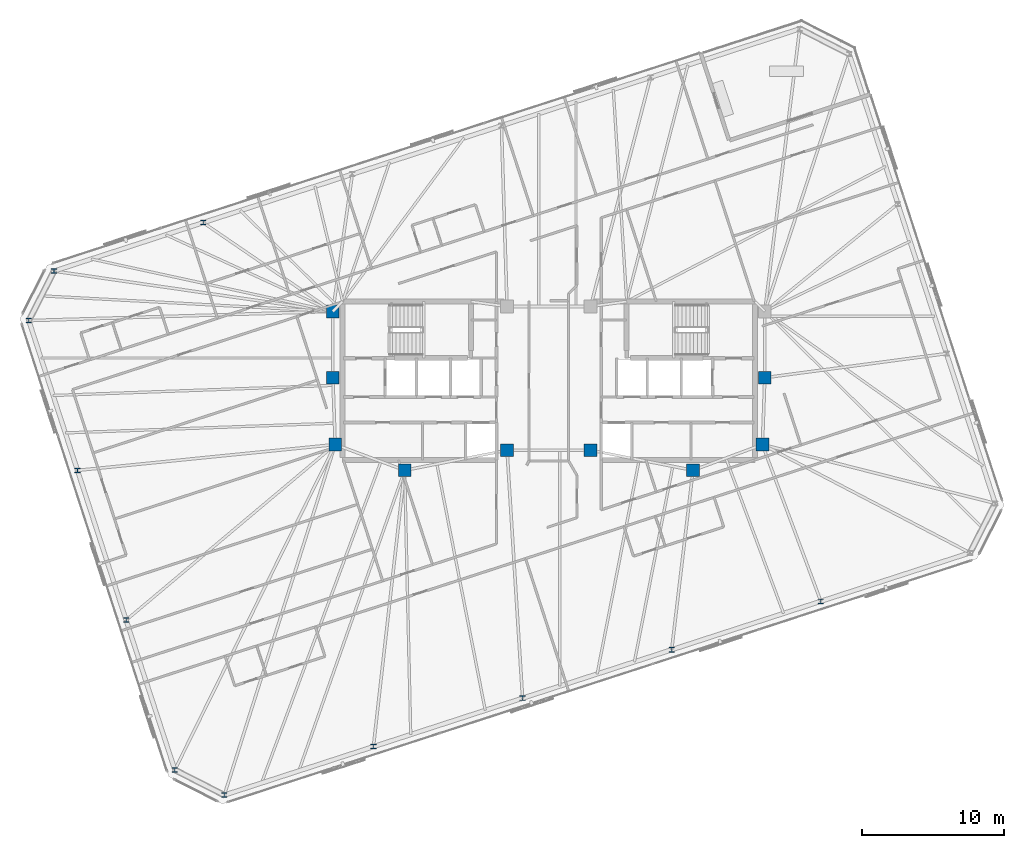
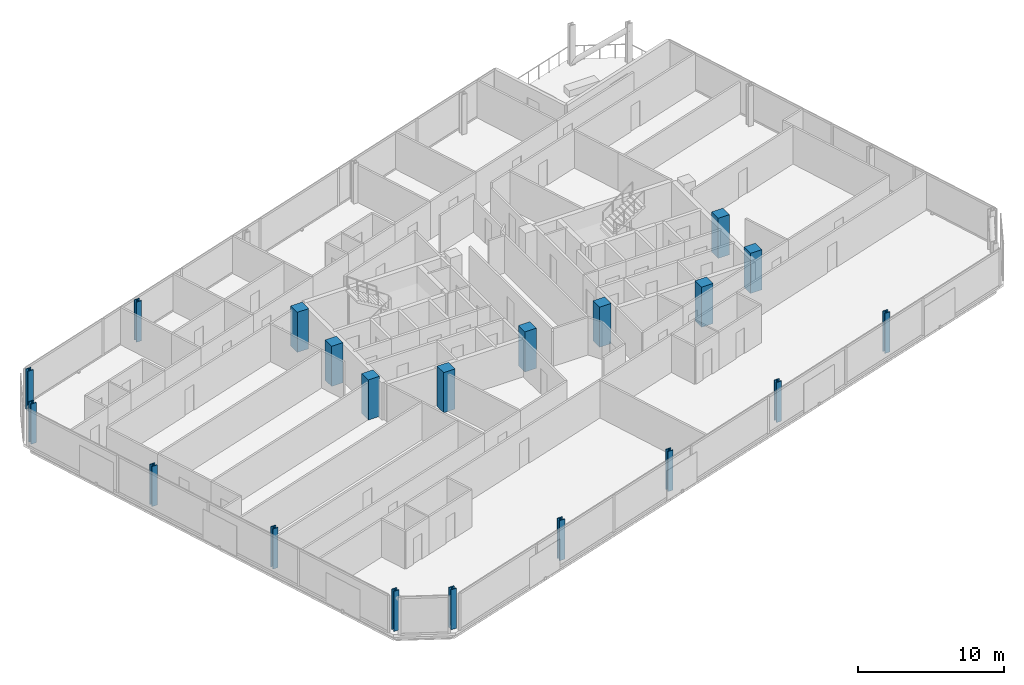
# One storey, part 1 of 19: 20 columns.
"""IFC4 building model written with IfcOpenShell, lengths in metres."""

from ifc_helpers import new_model, si_unit, direction, frame, origin, origin_2d, place, context, subcontext, project, spatial, rectangle, i_section, extrude, material, material_profile, profile_set, type_object, element, save


model = new_model("IFC4")

# Units and contexts
model_context = context("Model", 3, precision=1e-05, world=origin(), true_north=direction((0.0, 1.0)))
body_context = subcontext(model_context, "Body", "Model", "MODEL_VIEW")
ifc_project = project(units=[si_unit("LENGTHUNIT", "METRE"), si_unit("AREAUNIT", "SQUARE_METRE"), si_unit("VOLUMEUNIT", "CUBIC_METRE"), si_unit("PLANEANGLEUNIT", "RADIAN"), si_unit("MASSUNIT", "GRAM", prefix="KILO")], contexts=[model_context])

# Site, building, storey
site_placement = place(None, origin())
site = spatial("IfcSite", under=ifc_project, at=site_placement, CompositionType="ELEMENT")
building_placement = place(site_placement, origin())
building = spatial("IfcBuilding", under=site, at=building_placement, Name="Menara Jurai Vektor", CompositionType="ELEMENT")
storey_placement = place(building_placement, frame((0.0, 0.0, 231.0)))
storey = spatial("IfcBuildingStorey", under=building, at=storey_placement, Name="L61", CompositionType="ELEMENT", Elevation=231.0)

# Columns
ifc_material_1 = material(Name="Concrete C50/60", Category="concrete")
ifc_material_profile_1 = material_profile(ifc_material_1, rectangle(XDim=0.89990234375, YDim=0.89990234375, at=origin_2d()), Name="RC 900x900")
ifc_profile_set_1 = profile_set([ifc_material_profile_1], Name="Concrete C50/60")
column_type_1 = type_object("IfcColumnType", Name="STR-COL-RC900", PredefinedType="COLUMN", material=ifc_profile_set_1)
for number, where, z_axis, x_axis, name in (
    (1, (-15.25, 4.89990234375, 0.0), (0.0, 0.0, 1.0), (1.0, 0.0, 0.0), "Core Spine Column CW-NW L61"),
    (2, (-15.25, 0.219970703125, 0.0), (0.0, 0.0, 1.0), (1.0, 0.0, 0.0), "Core Spine Column CW-WM L61"),
    (3, (-15.080078125, -4.5, 0.0), (0.0, 0.0, 1.0), (1.0, 0.0, 0.0), "Core Spine Column CW-SW L61"),
    (4, (-10.179931640625, -6.320068359375, 0.0), (0.0, 0.0, 1.0), (1.0, 0.0, 0.0), "Core Spine Column CW-SM L61"),
    (5, (-2.949951171875, -4.89990234375, 0.0), (0.0, 0.0, 1.0), (1.0, 0.0, 0.0), "Core Spine Column CW-SE L61"),
    (6, (15.25, 0.219970703125, 0.0), (0.0, 0.0, 1.0), (1.0, 0.0, 0.0), "Core Spine Column CE-EM L61"),
    (7, (15.080078125, -4.5, 0.0), (0.0, 0.0, 1.0), (1.0, 0.0, 0.0), "Core Spine Column CE-SE L61"),
    (8, (10.179931640625, -6.320068359375, 0.0), (0.0, 0.0, 1.0), (1.0, 0.0, 0.0), "Core Spine Column CE-SM L61"),
    (9, (2.949951171875, -4.89990234375, 0.0), (0.0, 0.0, 1.0), (1.0, 0.0, 0.0), "Core Spine Column CE-SW L61"),
):
    element("IfcColumn", number, at=place(storey_placement, frame(where, z_axis=z_axis, x_axis=x_axis)), inside=storey, type_object=column_type_1, Name=name, PredefinedType="COLUMN", context=body_context, shape_type="SweptSolid", body=[
        extrude(rectangle(XDim=0.89990234375, YDim=0.89990234375, at=origin_2d()), origin(), (0.0, 0.0, 1.0), 3.35009765625),
    ])
ifc_material_2 = material(Name="Steel S460", Category="steel")
ifc_material_profile_2 = material_profile(ifc_material_2, i_section(OverallWidth=0.405029296875, OverallDepth=0.35498046875, WebThickness=0.0419921875, FlangeThickness=0.068115234375, FilletRadius=0.014892578125, at=origin_2d()), Name="HD 400x551")
ifc_profile_set_2 = profile_set([ifc_material_profile_2], Name="Steel S460")
column_type_2 = type_object("IfcColumnType", Name="STR-EXO-BLK4", PredefinedType="COLUMN", material=ifc_profile_set_2)
for number, where, z_axis, x_axis, name in (
    (10, (-22.912841796875, -29.2509765625, 0.0), (0.0, 0.0, 1.0), (1.0, 0.0, 0.0), "Exoskeleton Column BLK4-S1 L61"),
    (11, (-12.383544921875, -25.829833984375, 0.0), (0.0, 0.0, 1.0), (1.0, 0.0, 0.0), "Exoskeleton Column BLK4-S2 L61"),
    (12, (-1.854248046875, -22.40869140625, 0.0), (0.0, 0.0, 1.0), (1.0, 0.0, 0.0), "Exoskeleton Column BLK4-S3 L61"),
    (13, (8.675048828125, -18.987548828125, 0.0), (0.0, 0.0, 1.0), (1.0, 0.0, 0.0), "Exoskeleton Column BLK4-S4 L61"),
    (14, (19.204345703125, -15.56640625, 0.0), (0.0, 0.0, 1.0), (1.0, 0.0, 0.0), "Exoskeleton Column BLK4-S5 L61"),
    (15, (-24.404296875, 11.166259765625, 0.0), (0.0, 0.0, 1.0), (1.0, 0.0, 0.0), "Exoskeleton Column BLK4-N5 L61"),
    (16, (-34.93359375, 7.7451171875, 0.0), (0.0, 0.0, 1.0), (1.0, 0.0, 0.0), "Exoskeleton Column BLK4-N6 L61"),
    (17, (-36.71337890625, 4.251953125, 0.0), (0.0, 0.0, 1.0), (1.0, 0.0, 0.0), "Exoskeleton Column BLK4-W1 L61"),
    (18, (-33.277587890625, -6.322265625, 0.0), (0.0, 0.0, 1.0), (1.0, 0.0, 0.0), "Exoskeleton Column BLK4-W2 L61"),
    (19, (-29.841796875, -16.896728515625, 0.0), (0.0, 0.0, 1.0), (1.0, 0.0, 0.0), "Exoskeleton Column BLK4-W3 L61"),
    (20, (-26.406005859375, -27.47119140625, 0.0), (0.0, 0.0, 1.0), (1.0, 0.0, 0.0), "Exoskeleton Column BLK4-W4 L61"),
):
    element("IfcColumn", number, at=place(storey_placement, frame(where, z_axis=z_axis, x_axis=x_axis)), inside=storey, type_object=column_type_2, Name=name, PredefinedType="COLUMN", context=body_context, shape_type="SweptSolid", body=[
        extrude(i_section(OverallWidth=0.405029296875, OverallDepth=0.35498046875, WebThickness=0.0419921875, FlangeThickness=0.068115234375, FilletRadius=0.014892578125, at=origin_2d()), origin(), (0.0, 0.0, 1.0), 3.35009765625),
    ])

save(model, "model.ifc")
